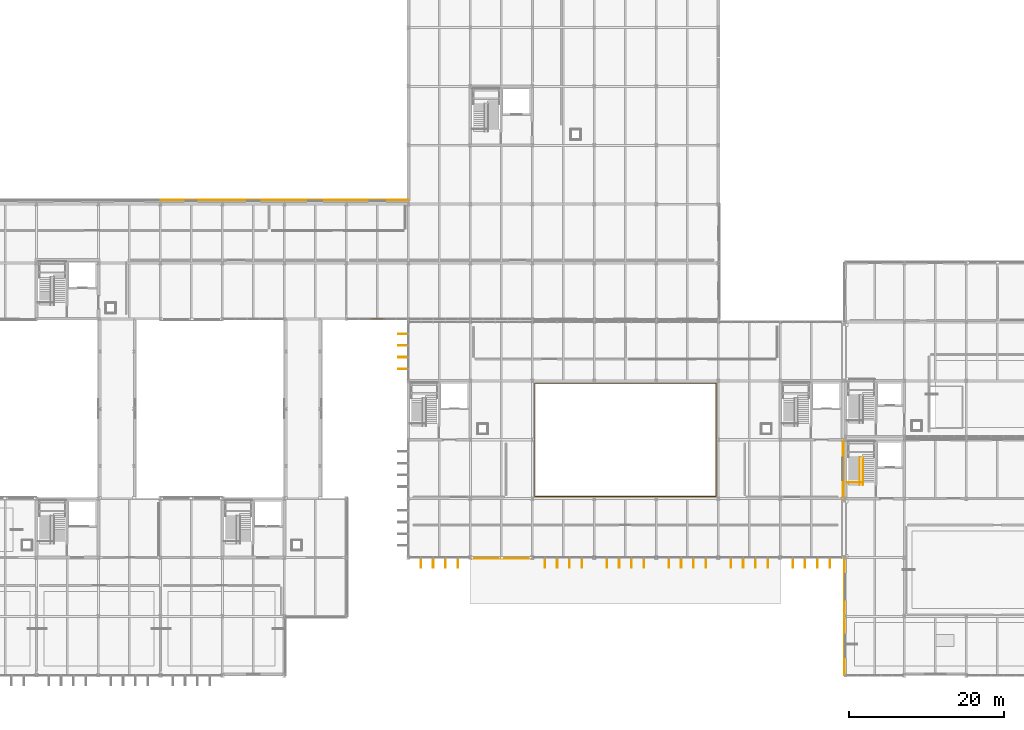
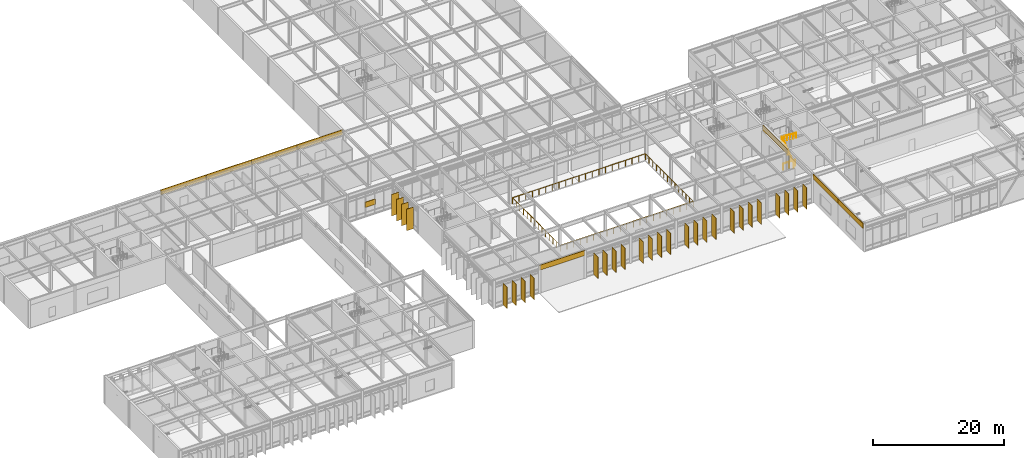
# One storey, part 88 of 94: 29 shading devices, 8 coverings, 4 railings.
"""IFC4 building model written with IfcOpenShell, lengths in metres."""

from ifc_helpers import new_model, si_unit, direction, frame, origin, origin_2d, place, context, subcontext, project, spatial, rectangle, circle, extrude, material, layer, layer_set, type_object, element, save


model = new_model("IFC4")

# Units and contexts
model_context = context("Model", 3, precision=1e-05, world=origin(), true_north=direction((0.0, 1.0)))
body_context = subcontext(model_context, "Body", "Model", "MODEL_VIEW")
ifc_project = project(units=[si_unit("LENGTHUNIT", "METRE"), si_unit("AREAUNIT", "SQUARE_METRE"), si_unit("VOLUMEUNIT", "CUBIC_METRE"), si_unit("PLANEANGLEUNIT", "RADIAN"), si_unit("MASSUNIT", "GRAM", prefix="KILO")], contexts=[model_context])

# Site, building, storey
site_placement = place(None, origin())
site = spatial("IfcSite", under=ifc_project, at=site_placement, CompositionType="ELEMENT")
building_placement = place(site_placement, origin())
building = spatial("IfcBuilding", under=site, at=building_placement, Name="Zulena Civic Courthouse", CompositionType="ELEMENT")
storey_placement = place(building_placement, frame((0.0, 0.0, 5.39990234375)))
storey = spatial("IfcBuildingStorey", under=building, at=storey_placement, Name="L01", CompositionType="ELEMENT", Elevation=5.39990234375)

# Shading devices
ifc_material_1 = material(Name="Bronze anodised thermally broken aluminium AA6063-T6", Category="aluminium")
shading_device_type_1 = type_object("IfcShadingDeviceType", Name="AcousticStormLouvre_3", PredefinedType="JALOUSIE", material=ifc_material_1)
shading_device_placement = place(storey_placement, frame((64.0, 46.0, 1.7001953125), z_axis=(0.0, 0.0, 1.0), x_axis=(1.0, 0.0, 0.0)))
element("IfcShadingDevice", 1, at=shading_device_placement, inside=storey, type_object=shading_device_type_1, Name="louvre:V5:L01", PredefinedType="JALOUSIE", context=body_context, shape_type="SweptSolid", body=[
    extrude(rectangle(XDim=1.800048828125, YDim=0.14990234375, at=origin_2d()), origin(), (0.0, 0.0, 1.0), 1.0),
])
ifc_material_2 = material(Name="Gold anodised architectural aluminium AA6063-T6", Category="aluminium")
shading_device_type_2 = type_object("IfcShadingDeviceType", Name="GoldSolarFin_400", PredefinedType="USERDEFINED", material=ifc_material_2)
for number, where, z_axis, x_axis, name in (
    (2, (67.31494140625, 39.534423828125, 0.050048828125), (0.0, 0.0, 1.0), (-1.0, 0.0, 0.0), "fin:V4:L01:0:3:1"),
    (3, (67.31494140625, 41.044921875, 0.050048828125), (0.0, 0.0, 1.0), (-1.0, 0.0, 0.0), "fin:V4:L01:0:3:2"),
    (4, (67.31494140625, 42.55517578125, 0.050048828125), (0.0, 0.0, 1.0), (-1.0, 0.0, 0.0), "fin:V4:L01:0:3:3"),
    (5, (67.31494140625, 44.065673828125, 0.050048828125), (0.0, 0.0, 1.0), (-1.0, 0.0, 0.0), "fin:V4:L01:0:3:4"),
    (6, (122.385498046875, 14.514892578125, 0.050048828125), (0.0, 0.0, 1.0), (0.0, -1.0, 0.0), "fin:V4:L01:3:0:1"),
    (7, (120.795166015625, 14.514892578125, 0.050048828125), (0.0, 0.0, 1.0), (0.0, -1.0, 0.0), "fin:V4:L01:3:0:2"),
    (8, (119.204833984375, 14.514892578125, 0.050048828125), (0.0, 0.0, 1.0), (0.0, -1.0, 0.0), "fin:V4:L01:3:0:3"),
    (9, (117.614501953125, 14.514892578125, 0.050048828125), (0.0, 0.0, 1.0), (0.0, -1.0, 0.0), "fin:V4:L01:3:0:4"),
    (10, (114.385498046875, 14.514892578125, 0.050048828125), (0.0, 0.0, 1.0), (0.0, -1.0, 0.0), "fin:V4:L01:3:1:1"),
    (11, (112.795166015625, 14.514892578125, 0.050048828125), (0.0, 0.0, 1.0), (0.0, -1.0, 0.0), "fin:V4:L01:3:1:2"),
    (12, (111.204833984375, 14.514892578125, 0.050048828125), (0.0, 0.0, 1.0), (0.0, -1.0, 0.0), "fin:V4:L01:3:1:3"),
    (13, (109.614501953125, 14.514892578125, 0.050048828125), (0.0, 0.0, 1.0), (0.0, -1.0, 0.0), "fin:V4:L01:3:1:4"),
    (14, (106.385498046875, 14.514892578125, 0.050048828125), (0.0, 0.0, 1.0), (0.0, -1.0, 0.0), "fin:V4:L01:3:2:1"),
    (15, (104.795166015625, 14.514892578125, 0.050048828125), (0.0, 0.0, 1.0), (0.0, -1.0, 0.0), "fin:V4:L01:3:2:2"),
    (16, (103.204833984375, 14.514892578125, 0.050048828125), (0.0, 0.0, 1.0), (0.0, -1.0, 0.0), "fin:V4:L01:3:2:3"),
    (17, (101.614501953125, 14.514892578125, 0.050048828125), (0.0, 0.0, 1.0), (0.0, -1.0, 0.0), "fin:V4:L01:3:2:4"),
    (18, (98.385498046875, 14.514892578125, 0.050048828125), (0.0, 0.0, 1.0), (0.0, -1.0, 0.0), "fin:V4:L01:3:3:1"),
    (19, (96.795166015625, 14.514892578125, 0.050048828125), (0.0, 0.0, 1.0), (0.0, -1.0, 0.0), "fin:V4:L01:3:3:2"),
    (20, (95.204833984375, 14.514892578125, 0.050048828125), (0.0, 0.0, 1.0), (0.0, -1.0, 0.0), "fin:V4:L01:3:3:3"),
    (21, (93.614501953125, 14.514892578125, 0.050048828125), (0.0, 0.0, 1.0), (0.0, -1.0, 0.0), "fin:V4:L01:3:3:4"),
    (22, (90.385498046875, 14.514892578125, 0.050048828125), (0.0, 0.0, 1.0), (0.0, -1.0, 0.0), "fin:V4:L01:3:4:1"),
    (23, (88.795166015625, 14.514892578125, 0.050048828125), (0.0, 0.0, 1.0), (0.0, -1.0, 0.0), "fin:V4:L01:3:4:2"),
    (24, (87.204833984375, 14.514892578125, 0.050048828125), (0.0, 0.0, 1.0), (0.0, -1.0, 0.0), "fin:V4:L01:3:4:3"),
    (25, (85.614501953125, 14.514892578125, 0.050048828125), (0.0, 0.0, 1.0), (0.0, -1.0, 0.0), "fin:V4:L01:3:4:4"),
    (26, (74.385498046875, 14.514892578125, 0.050048828125), (0.0, 0.0, 1.0), (0.0, -1.0, 0.0), "fin:V4:L01:3:6:1"),
    (27, (72.795166015625, 14.514892578125, 0.050048828125), (0.0, 0.0, 1.0), (0.0, -1.0, 0.0), "fin:V4:L01:3:6:2"),
    (28, (71.204833984375, 14.514892578125, 0.050048828125), (0.0, 0.0, 1.0), (0.0, -1.0, 0.0), "fin:V4:L01:3:6:3"),
    (29, (69.614501953125, 14.514892578125, 0.050048828125), (0.0, 0.0, 1.0), (0.0, -1.0, 0.0), "fin:V4:L01:3:6:4"),
):
    element("IfcShadingDevice", number, at=place(storey_placement, frame(where, z_axis=z_axis, x_axis=x_axis)), inside=storey, type_object=shading_device_type_2, Name=name, ObjectType="FIN", PredefinedType="USERDEFINED", context=body_context, shape_type="SweptSolid", body=[
        extrude(rectangle(XDim=1.25, YDim=0.080078125, at=origin_2d()), origin(), (0.0, 0.0, 1.0), 4.0),
    ])

# Railings
ifc_material_3 = material(Name="Brushed architectural steel ASTM A36", Category="steel")
railing_type_1 = type_object("IfcRailingType", Name="InteriorGuardrail_1150", PredefinedType="GUARDRAIL", material=ifc_material_3)
railing_1_placement = place(storey_placement, frame((124.580078125, 24.89990234375, 0.0)))
element("IfcRailing", 30, at=railing_1_placement, inside=storey, type_object=railing_type_1, Name="gr:wells:K1A:L01", PredefinedType="GUARDRAIL", context=body_context, shape_type="SweptSolid", body=[
    extrude(circle(Radius=0.02392578125, at=origin_2d()), frame((0.00390625, 0.0, 1.1259765625), z_axis=(1.0, 0.0, 0.0), x_axis=(0.0, 1.0, 0.0)), (0.0, 0.0, 1.0), 2.11181640625),
    extrude(circle(Radius=0.02099609375, at=origin_2d()), origin(), (0.0, 0.0, 1.0), 1.097900390625),
    extrude(circle(Radius=0.02099609375, at=origin_2d()), frame((1.06005859375, 0.0, 0.0)), (0.0, 0.0, 1.0), 1.097900390625),
    extrude(circle(Radius=0.02099609375, at=origin_2d()), frame((2.119873046875, 0.0, 0.0)), (0.0, 0.0, 1.0), 1.097900390625),
])
railing_2_placement = place(storey_placement, frame((84.300048828125, 23.10009765625, 0.0)))
element("IfcRailing", 31, at=railing_2_placement, inside=storey, type_object=railing_type_1, Name="guard:void:V4:L01:atr", PredefinedType="GUARDRAIL", context=body_context, shape_type="SweptSolid", body=[
    extrude(circle(Radius=0.02392578125, at=origin_2d()), frame((0.00390625, 0.0, 1.1259765625), z_axis=(1.0, 0.0, 0.0), x_axis=(0.0, 1.0, 0.0)), (0.0, 0.0, 1.0), 23.391845703125),
    extrude(circle(Radius=0.02392578125, at=origin_2d()), frame((23.39990234375, 0.00390625, 1.1259765625), z_axis=(0.0, 1.0, 0.0), x_axis=(-1.0, 0.0, 0.0)), (0.0, 0.0, 1.0), 14.591796875),
    extrude(circle(Radius=0.02392578125, at=origin_2d()), frame((23.39599609375, 14.599853515625, 1.1259765625), z_axis=(-1.0, 0.0, 0.0), x_axis=(0.0, -1.0, 0.0)), (0.0, 0.0, 1.0), 23.391845703125),
    extrude(circle(Radius=0.02392578125, at=origin_2d()), frame((0.0, 14.595947265625, 1.1259765625), z_axis=(0.0, -1.0, 0.0), x_axis=(1.0, 0.0, 0.0)), (0.0, 0.0, 1.0), 14.591796875),
    extrude(circle(Radius=0.02099609375, at=origin_2d()), origin(), (0.0, 0.0, 1.0), 1.097900390625),
    extrude(circle(Radius=0.02099609375, at=origin_2d()), frame((1.169921875, 0.0, 0.0)), (0.0, 0.0, 1.0), 1.097900390625),
    extrude(circle(Radius=0.02099609375, at=origin_2d()), frame((2.340087890625, 0.0, 0.0)), (0.0, 0.0, 1.0), 1.097900390625),
    extrude(circle(Radius=0.02099609375, at=origin_2d()), frame((3.510009765625, 0.0, 0.0)), (0.0, 0.0, 1.0), 1.097900390625),
    extrude(circle(Radius=0.02099609375, at=origin_2d()), frame((4.679931640625, 0.0, 0.0)), (0.0, 0.0, 1.0), 1.097900390625),
    extrude(circle(Radius=0.02099609375, at=origin_2d()), frame((5.85009765625, 0.0, 0.0)), (0.0, 0.0, 1.0), 1.097900390625),
    extrude(circle(Radius=0.02099609375, at=origin_2d()), frame((7.02001953125, 0.0, 0.0)), (0.0, 0.0, 1.0), 1.097900390625),
    extrude(circle(Radius=0.02099609375, at=origin_2d()), frame((8.18994140625, 0.0, 0.0)), (0.0, 0.0, 1.0), 1.097900390625),
    extrude(circle(Radius=0.02099609375, at=origin_2d()), frame((9.35986328125, 0.0, 0.0)), (0.0, 0.0, 1.0), 1.097900390625),
    extrude(circle(Radius=0.02099609375, at=origin_2d()), frame((10.530029296875, 0.0, 0.0)), (0.0, 0.0, 1.0), 1.097900390625),
    extrude(circle(Radius=0.02099609375, at=origin_2d()), frame((11.699951171875, 0.0, 0.0)), (0.0, 0.0, 1.0), 1.097900390625),
    extrude(circle(Radius=0.02099609375, at=origin_2d()), frame((12.869873046875, 0.0, 0.0)), (0.0, 0.0, 1.0), 1.097900390625),
    extrude(circle(Radius=0.02099609375, at=origin_2d()), frame((14.0400390625, 0.0, 0.0)), (0.0, 0.0, 1.0), 1.097900390625),
    extrude(circle(Radius=0.02099609375, at=origin_2d()), frame((15.2099609375, 0.0, 0.0)), (0.0, 0.0, 1.0), 1.097900390625),
    extrude(circle(Radius=0.02099609375, at=origin_2d()), frame((16.3798828125, 0.0, 0.0)), (0.0, 0.0, 1.0), 1.097900390625),
    extrude(circle(Radius=0.02099609375, at=origin_2d()), frame((17.5498046875, 0.0, 0.0)), (0.0, 0.0, 1.0), 1.097900390625),
    extrude(circle(Radius=0.02099609375, at=origin_2d()), frame((18.719970703125, 0.0, 0.0)), (0.0, 0.0, 1.0), 1.097900390625),
    extrude(circle(Radius=0.02099609375, at=origin_2d()), frame((19.889892578125, 0.0, 0.0)), (0.0, 0.0, 1.0), 1.097900390625),
    extrude(circle(Radius=0.02099609375, at=origin_2d()), frame((21.059814453125, 0.0, 0.0)), (0.0, 0.0, 1.0), 1.097900390625),
    extrude(circle(Radius=0.02099609375, at=origin_2d()), frame((22.22998046875, 0.0, 0.0)), (0.0, 0.0, 1.0), 1.097900390625),
    extrude(circle(Radius=0.02099609375, at=origin_2d()), frame((23.39990234375, 0.0, 0.0)), (0.0, 0.0, 1.0), 1.097900390625),
    extrude(circle(Radius=0.02099609375, at=origin_2d()), frame((23.39990234375, 1.123046875, 0.0)), (0.0, 0.0, 1.0), 1.097900390625),
    extrude(circle(Radius=0.02099609375, at=origin_2d()), frame((23.39990234375, 2.24609375, 0.0)), (0.0, 0.0, 1.0), 1.097900390625),
    extrude(circle(Radius=0.02099609375, at=origin_2d()), frame((23.39990234375, 3.369140625, 0.0)), (0.0, 0.0, 1.0), 1.097900390625),
    extrude(circle(Radius=0.02099609375, at=origin_2d()), frame((23.39990234375, 4.4921875, 0.0)), (0.0, 0.0, 1.0), 1.097900390625),
    extrude(circle(Radius=0.02099609375, at=origin_2d()), frame((23.39990234375, 5.615234375, 0.0)), (0.0, 0.0, 1.0), 1.097900390625),
    extrude(circle(Radius=0.02099609375, at=origin_2d()), frame((23.39990234375, 6.73828125, 0.0)), (0.0, 0.0, 1.0), 1.097900390625),
    extrude(circle(Radius=0.02099609375, at=origin_2d()), frame((23.39990234375, 7.861572265625, 0.0)), (0.0, 0.0, 1.0), 1.097900390625),
    extrude(circle(Radius=0.02099609375, at=origin_2d()), frame((23.39990234375, 8.984619140625, 0.0)), (0.0, 0.0, 1.0), 1.097900390625),
    extrude(circle(Radius=0.02099609375, at=origin_2d()), frame((23.39990234375, 10.107666015625, 0.0)), (0.0, 0.0, 1.0), 1.097900390625),
    extrude(circle(Radius=0.02099609375, at=origin_2d()), frame((23.39990234375, 11.230712890625, 0.0)), (0.0, 0.0, 1.0), 1.097900390625),
    extrude(circle(Radius=0.02099609375, at=origin_2d()), frame((23.39990234375, 12.353759765625, 0.0)), (0.0, 0.0, 1.0), 1.097900390625),
    extrude(circle(Radius=0.02099609375, at=origin_2d()), frame((23.39990234375, 13.476806640625, 0.0)), (0.0, 0.0, 1.0), 1.097900390625),
    extrude(circle(Radius=0.02099609375, at=origin_2d()), frame((23.39990234375, 14.599853515625, 0.0)), (0.0, 0.0, 1.0), 1.097900390625),
    extrude(circle(Radius=0.02099609375, at=origin_2d()), frame((22.22998046875, 14.599853515625, 0.0)), (0.0, 0.0, 1.0), 1.097900390625),
    extrude(circle(Radius=0.02099609375, at=origin_2d()), frame((21.059814453125, 14.599853515625, 0.0)), (0.0, 0.0, 1.0), 1.097900390625),
    extrude(circle(Radius=0.02099609375, at=origin_2d()), frame((19.889892578125, 14.599853515625, 0.0)), (0.0, 0.0, 1.0), 1.097900390625),
    extrude(circle(Radius=0.02099609375, at=origin_2d()), frame((18.719970703125, 14.599853515625, 0.0)), (0.0, 0.0, 1.0), 1.097900390625),
    extrude(circle(Radius=0.02099609375, at=origin_2d()), frame((17.5498046875, 14.599853515625, 0.0)), (0.0, 0.0, 1.0), 1.097900390625),
    extrude(circle(Radius=0.02099609375, at=origin_2d()), frame((16.3798828125, 14.599853515625, 0.0)), (0.0, 0.0, 1.0), 1.097900390625),
    extrude(circle(Radius=0.02099609375, at=origin_2d()), frame((15.2099609375, 14.599853515625, 0.0)), (0.0, 0.0, 1.0), 1.097900390625),
    extrude(circle(Radius=0.02099609375, at=origin_2d()), frame((14.0400390625, 14.599853515625, 0.0)), (0.0, 0.0, 1.0), 1.097900390625),
    extrude(circle(Radius=0.02099609375, at=origin_2d()), frame((12.869873046875, 14.599853515625, 0.0)), (0.0, 0.0, 1.0), 1.097900390625),
    extrude(circle(Radius=0.02099609375, at=origin_2d()), frame((11.699951171875, 14.599853515625, 0.0)), (0.0, 0.0, 1.0), 1.097900390625),
    extrude(circle(Radius=0.02099609375, at=origin_2d()), frame((10.530029296875, 14.599853515625, 0.0)), (0.0, 0.0, 1.0), 1.097900390625),
    extrude(circle(Radius=0.02099609375, at=origin_2d()), frame((9.35986328125, 14.599853515625, 0.0)), (0.0, 0.0, 1.0), 1.097900390625),
    extrude(circle(Radius=0.02099609375, at=origin_2d()), frame((8.18994140625, 14.599853515625, 0.0)), (0.0, 0.0, 1.0), 1.097900390625),
    extrude(circle(Radius=0.02099609375, at=origin_2d()), frame((7.02001953125, 14.599853515625, 0.0)), (0.0, 0.0, 1.0), 1.097900390625),
    extrude(circle(Radius=0.02099609375, at=origin_2d()), frame((5.85009765625, 14.599853515625, 0.0)), (0.0, 0.0, 1.0), 1.097900390625),
    extrude(circle(Radius=0.02099609375, at=origin_2d()), frame((4.679931640625, 14.599853515625, 0.0)), (0.0, 0.0, 1.0), 1.097900390625),
    extrude(circle(Radius=0.02099609375, at=origin_2d()), frame((3.510009765625, 14.599853515625, 0.0)), (0.0, 0.0, 1.0), 1.097900390625),
    extrude(circle(Radius=0.02099609375, at=origin_2d()), frame((2.340087890625, 14.599853515625, 0.0)), (0.0, 0.0, 1.0), 1.097900390625),
    extrude(circle(Radius=0.02099609375, at=origin_2d()), frame((1.169921875, 14.599853515625, 0.0)), (0.0, 0.0, 1.0), 1.097900390625),
    extrude(circle(Radius=0.02099609375, at=origin_2d()), frame((0.0, 14.599853515625, 0.0)), (0.0, 0.0, 1.0), 1.097900390625),
    extrude(circle(Radius=0.02099609375, at=origin_2d()), frame((0.0, 13.476806640625, 0.0)), (0.0, 0.0, 1.0), 1.097900390625),
    extrude(circle(Radius=0.02099609375, at=origin_2d()), frame((0.0, 12.353759765625, 0.0)), (0.0, 0.0, 1.0), 1.097900390625),
    extrude(circle(Radius=0.02099609375, at=origin_2d()), frame((0.0, 11.230712890625, 0.0)), (0.0, 0.0, 1.0), 1.097900390625),
    extrude(circle(Radius=0.02099609375, at=origin_2d()), frame((0.0, 10.107666015625, 0.0)), (0.0, 0.0, 1.0), 1.097900390625),
    extrude(circle(Radius=0.02099609375, at=origin_2d()), frame((0.0, 8.984619140625, 0.0)), (0.0, 0.0, 1.0), 1.097900390625),
    extrude(circle(Radius=0.02099609375, at=origin_2d()), frame((0.0, 7.861572265625, 0.0)), (0.0, 0.0, 1.0), 1.097900390625),
    extrude(circle(Radius=0.02099609375, at=origin_2d()), frame((0.0, 6.73828125, 0.0)), (0.0, 0.0, 1.0), 1.097900390625),
    extrude(circle(Radius=0.02099609375, at=origin_2d()), frame((0.0, 5.615234375, 0.0)), (0.0, 0.0, 1.0), 1.097900390625),
    extrude(circle(Radius=0.02099609375, at=origin_2d()), frame((0.0, 4.4921875, 0.0)), (0.0, 0.0, 1.0), 1.097900390625),
    extrude(circle(Radius=0.02099609375, at=origin_2d()), frame((0.0, 3.369140625, 0.0)), (0.0, 0.0, 1.0), 1.097900390625),
    extrude(circle(Radius=0.02099609375, at=origin_2d()), frame((0.0, 2.24609375, 0.0)), (0.0, 0.0, 1.0), 1.097900390625),
    extrude(circle(Radius=0.02099609375, at=origin_2d()), frame((0.0, 1.123046875, 0.0)), (0.0, 0.0, 1.0), 1.097900390625),
])

# Coverings
ifc_material_4 = material(Name="White architectural precast concrete C40/50", Category="concrete")
ifc_layer = layer(ifc_material_4, 0.0849609375)
ifc_layer_set = layer_set([ifc_layer], Name="White architectural precast concrete C40/50")
covering_type = type_object("IfcCoveringType", Name="PrecastSpandrelCladding_85", PredefinedType="CLADDING", material=ifc_layer_set)
for number, where, z_axis, x_axis, name in (
    (32, (124.280029296875, 3.800048828125, 4.250244140625), (0.0, 0.0, 1.0), (0.0, 1.0, 0.0), "clad:sp:V1:L01:0:0"),
    (33, (124.280029296875, 11.39990234375, 4.250244140625), (0.0, 0.0, 1.0), (0.0, 1.0, 0.0), "clad:sp:V1:L01:0:1"),
    (34, (124.1201171875, 26.60009765625, 4.250244140625), (0.0, 0.0, 1.0), (0.0, -1.0, 0.0), "clad:sp:V4:L01:2:2"),
):
    element("IfcCovering", number, at=place(storey_placement, frame(where, z_axis=z_axis, x_axis=x_axis)), inside=storey, type_object=covering_type, Name=name, PredefinedType="CLADDING", context=body_context, shape_type="SweptSolid", body=[
        extrude(rectangle(XDim=7.56005859375, YDim=0.0849609375, at=origin_2d()), origin(), (0.0, 0.0, 1.0), 0.93994140625),
    ])
for number, where, z_axis, x_axis, name in (
    (35, (80.0, 15.080078125, 4.250244140625), (0.0, 0.0, 1.0), (-1.0, 0.0, 0.0), "clad:sp:V4:L01:3:5"),
    (36, (40.0, 61.320068359375, 4.250244140625), (0.0, 0.0, 1.0), (1.0, 0.0, 0.0), "clad:sp:V5:L01:1:4"),
    (37, (48.0, 61.320068359375, 4.250244140625), (0.0, 0.0, 1.0), (1.0, 0.0, 0.0), "clad:sp:V5:L01:1:5"),
    (38, (56.0, 61.320068359375, 4.250244140625), (0.0, 0.0, 1.0), (1.0, 0.0, 0.0), "clad:sp:V5:L01:1:6"),
    (39, (64.0, 61.320068359375, 4.250244140625), (0.0, 0.0, 1.0), (1.0, 0.0, 0.0), "clad:sp:V5:L01:1:7"),
):
    element("IfcCovering", number, at=place(storey_placement, frame(where, z_axis=z_axis, x_axis=x_axis)), inside=storey, type_object=covering_type, Name=name, PredefinedType="CLADDING", context=body_context, shape_type="SweptSolid", body=[
        extrude(rectangle(XDim=7.9599609375, YDim=0.0849609375, at=origin_2d()), origin(), (0.0, 0.0, 1.0), 0.93994140625),
    ])

# Railings
railing_type_2 = type_object("IfcRailingType", Name="StairHandrail_920", PredefinedType="HANDRAIL", material=ifc_material_3)
railing_3_placement = place(storey_placement, frame((126.25, 24.580078125, 0.0)))
element("IfcRailing", 40, at=railing_3_placement, inside=storey, type_object=railing_type_2, Name="hr:K1A:L01:1", PredefinedType="HANDRAIL", context=body_context, shape_type="SweptSolid", body=[
    extrude(circle(Radius=0.02392578125, at=origin_2d()), frame((0.0, 0.003173828125, 0.898193359375), z_axis=(0.0, 0.797525546601, 0.603285175119), x_axis=(-1.0, 0.0, 0.0)), (0.0, 0.0, 1.0), 4.4677734375),
    extrude(circle(Radius=0.02099609375, at=origin_2d()), origin(), (0.0, 0.0, 1.0), 0.867919921875),
    extrude(circle(Radius=0.02099609375, at=origin_2d()), frame((0.0, 0.892333984375, 0.675048828125)), (0.0, 0.0, 1.0), 0.867919921875),
    extrude(circle(Radius=0.02099609375, at=origin_2d()), frame((0.0, 1.78466796875, 1.35009765625)), (0.0, 0.0, 1.0), 0.867919921875),
    extrude(circle(Radius=0.02099609375, at=origin_2d()), frame((0.0, 2.67724609375, 2.025146484375)), (0.0, 0.0, 1.0), 0.867919921875),
    extrude(circle(Radius=0.02099609375, at=origin_2d()), frame((0.0, 3.569580078125, 2.7001953125)), (0.0, 0.0, 1.0), 0.867919921875),
])
railing_4_placement = place(storey_placement, frame((126.64990234375, 28.149658203125, 2.7001953125)))
element("IfcRailing", 41, at=railing_4_placement, inside=storey, type_object=railing_type_2, Name="hr:K1A:L01:2", PredefinedType="HANDRAIL", context=body_context, shape_type="SweptSolid", body=[
    extrude(circle(Radius=0.02392578125, at=origin_2d()), frame((0.0, -0.003173828125, 0.898193359375), z_axis=(0.0, -0.797551790998, 0.603250479218), x_axis=(1.0, 0.0, 0.0)), (0.0, 0.0, 1.0), 4.4677734375),
    extrude(circle(Radius=0.02099609375, at=origin_2d()), origin(), (0.0, 0.0, 1.0), 0.867919921875),
    extrude(circle(Radius=0.02099609375, at=origin_2d()), frame((0.0, -0.892333984375, 0.675048828125)), (0.0, 0.0, 1.0), 0.867919921875),
    extrude(circle(Radius=0.02099609375, at=origin_2d()), frame((0.0, -1.78466796875, 1.35009765625)), (0.0, 0.0, 1.0), 0.867919921875),
    extrude(circle(Radius=0.02099609375, at=origin_2d()), frame((0.0, -2.67724609375, 2.02490234375)), (0.0, 0.0, 1.0), 0.867919921875),
    extrude(circle(Radius=0.02099609375, at=origin_2d()), frame((0.0, -3.569580078125, 2.699951171875)), (0.0, 0.0, 1.0), 0.867919921875),
])

save(model, "model.ifc")
